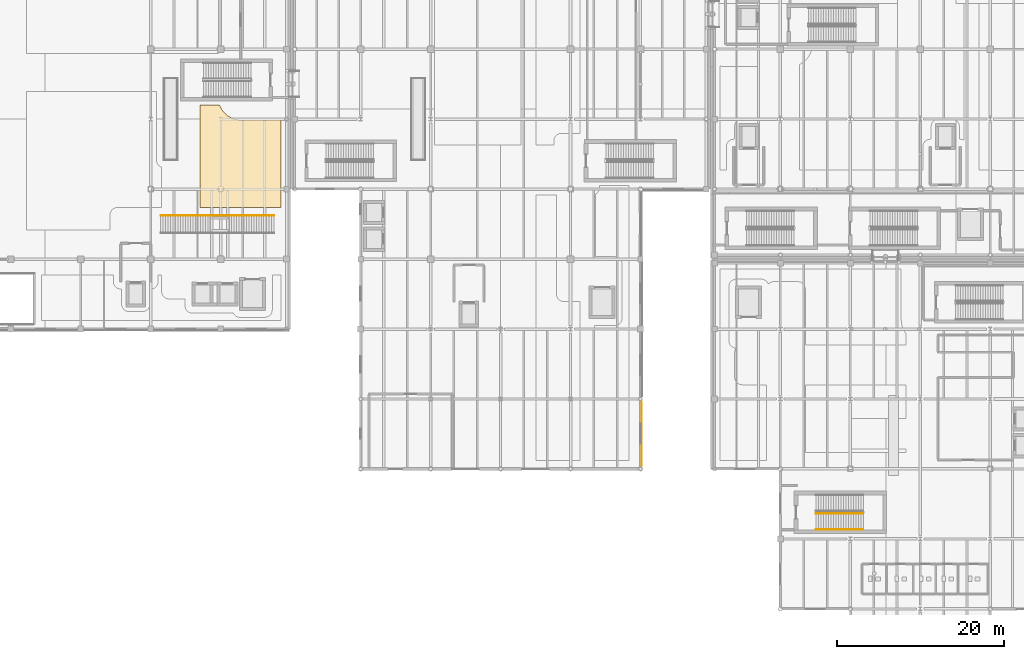
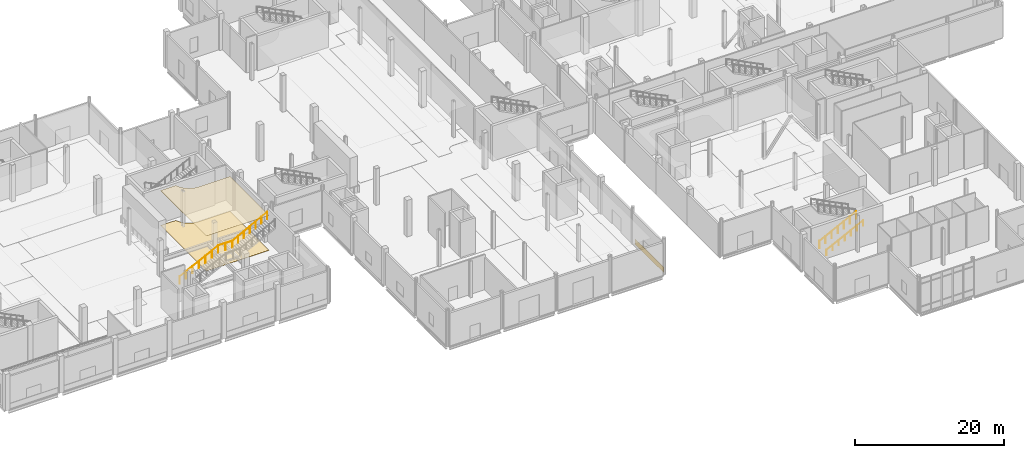
# One storey, part 67 of 85: 3 coverings, 3 railings.
"""IFC4 building model written with IfcOpenShell, lengths in metres."""

import ifcopenshell
import ifcopenshell.guid

model = None  # the IFC model being written
_history = None  # IfcOwnerHistory: only IFC2X3 demands one
_inside = {}  # id of a spatial element -> (the spatial element, [elements in it])
_under = {}  # id of a project, library or spatial element -> (it, [spatial elements below it])
_declared = {}  # id of a project -> (the project, [libraries it declares])
_typed = {}  # id of a type object -> (the type object, [elements of that type])
_made_of = {}  # id of a material, layer set ... -> (it, [elements and type objects made of it])


def new_model(schema):
    """Start an empty IFC model of exactly this schema.

    Asked for "IFC4X3", IfcOpenShell would pick the latest addendum, in which some entities
    have other attributes; the version numbers below select the first issue.
    IFC2X3 requires an IfcOwnerHistory on every rooted entity: one is made here for all.
    """
    global model, _history
    if schema == "IFC4X3":
        model = ifcopenshell.file(schema_version=(4, 3, 0, 0))
    else:
        model = ifcopenshell.file(schema=schema)
    _inside.clear()
    _under.clear()
    _declared.clear()
    _typed.clear()
    _made_of.clear()
    _history = None
    if model.schema == "IFC2X3":
        org = make("IfcOrganization", Name="unknown")
        user = make(
            "IfcPersonAndOrganization",
            ThePerson=make("IfcPerson", FamilyName="unknown"),
            TheOrganization=org,
        )
        app = make(
            "IfcApplication",
            ApplicationDeveloper=org,
            Version="unknown",
            ApplicationFullName="unknown",
            ApplicationIdentifier="unknown",
        )
        _history = make(
            "IfcOwnerHistory",
            OwningUser=user,
            OwningApplication=app,
            ChangeAction="ADDED",
            CreationDate=0,
        )
    return model


def make(cls, **values):
    """One entity of the class cls with the attributes given. An attribute that is None is left unset."""
    return model.create_entity(
        cls, **{name: value for name, value in values.items() if value is not None}
    )


def rooted(cls, **values):
    """An entity with a GlobalId (a new one), such as an element, a storey or a relation."""
    return make(cls, GlobalId=ifcopenshell.guid.new(), OwnerHistory=_history, **values)


def si_unit(unit_type, name, prefix=None):
    """IfcSIUnit, for example si_unit("LENGTHUNIT", "METRE", prefix="MILLI")."""
    return make("IfcSIUnit", UnitType=unit_type, Prefix=prefix, Name=name)


def assignment(units):
    """IfcUnitAssignment: the units of a project."""
    return None if units is None else make("IfcUnitAssignment", Units=units)


def point(xyz):
    """IfcCartesianPoint."""
    return None if xyz is None else make("IfcCartesianPoint", Coordinates=xyz)


def direction(xyz):
    """IfcDirection."""
    return None if xyz is None else make("IfcDirection", DirectionRatios=xyz)


def frame(location, z_axis=None, x_axis=None):
    """IfcAxis2Placement3D, a coordinate frame: its origin and axes. An axis left out is left unset."""
    return make(
        "IfcAxis2Placement3D",
        Location=point(location),
        Axis=direction(z_axis),
        RefDirection=direction(x_axis),
    )


def frame_2d(location, x_axis=None):
    """IfcAxis2Placement2D, a coordinate frame in the plane: its origin and x axis."""
    return make(
        "IfcAxis2Placement2D", Location=point(location), RefDirection=direction(x_axis)
    )


def origin():
    """The frame at (0, 0, 0) with its axes left unset."""
    return frame((0.0, 0.0, 0.0))


def origin_2d():
    """The frame at (0, 0) in the plane with its x axis left unset."""
    return frame_2d((0.0, 0.0))


def place(relative_to, where):
    """IfcLocalPlacement: puts the frame where relative to a parent placement (None: the world)."""
    return make(
        "IfcLocalPlacement", PlacementRelTo=relative_to, RelativePlacement=where
    )


def context(
    kind, dimensions, precision=None, world=None, true_north=None, identifier=None
):
    """IfcGeometricRepresentationContext, for example the 3D "Model" context."""
    return make(
        "IfcGeometricRepresentationContext",
        ContextIdentifier=identifier,
        ContextType=kind,
        CoordinateSpaceDimension=dimensions,
        Precision=precision,
        WorldCoordinateSystem=world,
        TrueNorth=true_north,
    )


def subcontext(parent, identifier, kind, view, scale=None):
    """IfcGeometricRepresentationSubContext, for example "Body" below "Model"."""
    return make(
        "IfcGeometricRepresentationSubContext",
        ContextIdentifier=identifier,
        ContextType=kind,
        ParentContext=parent,
        TargetScale=scale,
        TargetView=view,
    )


def project(units=None, contexts=None):
    """IfcProject with its units and contexts."""
    return rooted(
        "IfcProject",
        Name="project",
        RepresentationContexts=contexts,
        UnitsInContext=assignment(units),
    )


def spatial(cls, under=None, at=None, **own):
    """A site, building, storey or space (cls), placed at a placement, below another one or the project."""
    s = rooted(cls, ObjectPlacement=at, **own)
    if under is not None:
        _under.setdefault(under.id(), (under, []))[1].append(s)
    return s


def polyline(points):
    """IfcPolyline through the points."""
    return make("IfcPolyline", Points=[point(p) for p in points])


def profile(cls, at=None, kind="AREA", **sizes):
    """A parametric profile (cls). Its sizes go by their IFC names, for example OverallWidth=200.0."""
    return make(cls, ProfileType=kind, Position=at, **sizes)


def rectangle(**sizes):
    """IfcRectangleProfileDef."""
    return profile("IfcRectangleProfileDef", **sizes)


def circle(**sizes):
    """IfcCircleProfileDef."""
    return profile("IfcCircleProfileDef", **sizes)


def outline(outer, holes=None, kind="AREA"):
    """IfcArbitraryClosedProfileDef: a profile drawn as a closed curve; with holes, ...WithVoids."""
    if holes is None:
        return make("IfcArbitraryClosedProfileDef", ProfileType=kind, OuterCurve=outer)
    return make(
        "IfcArbitraryProfileDefWithVoids",
        ProfileType=kind,
        OuterCurve=outer,
        InnerCurves=holes,
    )


def extrude(swept, where, along, depth):
    """IfcExtrudedAreaSolid: the profile swept, set in the frame where, extruded along a direction by depth."""
    return make(
        "IfcExtrudedAreaSolid",
        SweptArea=swept,
        Position=where,
        ExtrudedDirection=direction(along),
        Depth=depth,
    )


def shape(context_of_items, identifier, shape_type, items):
    """IfcShapeRepresentation: the items that make up one representation, for example the "Body"."""
    return make(
        "IfcShapeRepresentation",
        ContextOfItems=context_of_items,
        RepresentationIdentifier=identifier,
        RepresentationType=shape_type,
        Items=items,
    )


def material(Name=None, Category=None):
    """IfcMaterial."""
    return make("IfcMaterial", Name=Name, Category=Category)


def layer(
    of_material, thickness, ventilated=None, Name=None, Category=None, Priority=None
):
    """IfcMaterialLayer: one layer of a wall or slab, of a material (None: an air gap)."""
    return make(
        "IfcMaterialLayer",
        Material=of_material,
        LayerThickness=thickness,
        IsVentilated=ventilated,
        Name=Name,
        Category=Category,
        Priority=Priority,
    )


def layer_set(layers, Name=None):
    """IfcMaterialLayerSet."""
    return make("IfcMaterialLayerSet", MaterialLayers=layers, LayerSetName=Name)


def made_of(thing, what):
    """Note that an element or type object is made of a material, layer set ...; save() writes the relation."""
    if what is not None:
        _made_of.setdefault(what.id(), (what, []))[1].append(thing)
    return thing


def type_object(cls, material=None, **own):
    """A type object (cls), such as IfcWallType, which elements share."""
    return made_of(rooted(cls, **own), material)


def element(
    cls,
    number,
    at=None,
    inside=None,
    cuts=None,
    type_object=None,
    material=None,
    context=None,
    identifier="Body",
    shape_type=None,
    held_by="IfcProductDefinitionShape",
    body=None,
    shapes=None,
    **own,
):
    """One element of the class cls, such as IfcWall. Its Tag is "e" and its number.

    at: its placement. inside: the storey or other place that contains it. cuts: it is an
    opening in that element (IfcRelVoidsElement). A single representation is given by context,
    identifier, shape_type and body (its items); several are given by shapes. held_by: the class
    of the entity that holds the representations. save() writes the other relations.
    """
    e = rooted(cls, Tag="e%d" % number, ObjectPlacement=at, **own)
    if body is not None:
        shapes = [shape(context, identifier, shape_type, body)]
    if shapes is not None:
        e.Representation = make(held_by, Representations=shapes)
    if inside is not None:
        _inside.setdefault(inside.id(), (inside, []))[1].append(e)
    if cuts is not None:
        rooted(
            "IfcRelVoidsElement", RelatingBuildingElement=cuts, RelatedOpeningElement=e
        )
    if type_object is not None:
        _typed.setdefault(type_object.id(), (type_object, []))[1].append(e)
    return made_of(e, material)


def aggregate(whole, parts):
    """IfcRelAggregates: a whole, such as a stair, and the parts it consists of."""
    return rooted("IfcRelAggregates", RelatingObject=whole, RelatedObjects=parts)


def save(model, path):
    """Write the relations noted so far, then the file.

    IfcRelAggregates (storeys below a building ...), IfcRelContainedInSpatialStructure (elements
    in a storey), IfcRelDefinesByType, IfcRelAssociatesMaterial and IfcRelDeclares: one each for
    every whole, place, type object, material and project.
    """
    for whole, parts in _under.values():
        aggregate(whole, parts)
    for where, things in _inside.values():
        rooted(
            "IfcRelContainedInSpatialStructure",
            RelatedElements=things,
            RelatingStructure=where,
        )
    for kind, things in _typed.values():
        rooted("IfcRelDefinesByType", RelatedObjects=things, RelatingType=kind)
    for what, things in _made_of.values():
        rooted("IfcRelAssociatesMaterial", RelatedObjects=things, RelatingMaterial=what)
    for by, libraries in _declared.values():
        rooted("IfcRelDeclares", RelatingContext=by, RelatedDefinitions=libraries)
    model.write(path)


model = new_model("IFC4")

# Units and contexts
model_context = context("Model", 3, precision=1e-05, world=origin(), true_north=direction((0.0, 1.0)))
body_context = subcontext(model_context, "Body", "Model", "MODEL_VIEW")
ifc_project = project(units=[si_unit("LENGTHUNIT", "METRE"), si_unit("AREAUNIT", "SQUARE_METRE"), si_unit("VOLUMEUNIT", "CUBIC_METRE"), si_unit("PLANEANGLEUNIT", "RADIAN"), si_unit("MASSUNIT", "GRAM", prefix="KILO"), si_unit("THERMODYNAMICTEMPERATUREUNIT", "KELVIN")], contexts=[model_context])

# Site, building, storey
site_placement = place(None, origin())
site = spatial("IfcSite", under=ifc_project, at=site_placement, CompositionType="ELEMENT")
building_placement = place(site_placement, origin())
building = spatial("IfcBuilding", under=site, at=building_placement, Name="Lustrewick Department Store", CompositionType="ELEMENT")
storey_placement = place(building_placement, origin())
storey = spatial("IfcBuildingStorey", under=building, at=storey_placement, Name="L01", CompositionType="ELEMENT", Elevation=0.0)

# Coverings
ifc_material_1 = material(Name="Rusticated Fangshan cream limestone", Category="masonry")
ifc_layer_1 = layer(ifc_material_1, 0.050048828125, Name="Rusticated Fangshan cream limestone")
ifc_layer_set_1 = layer_set([ifc_layer_1], Name="Rusticated Fangshan cream limestone")
covering_type_1 = type_object("IfcCoveringType", Name="CLD-LIME", PredefinedType="CLADDING", material=ifc_layer_set_1)
covering_1_placement = place(storey_placement, frame((100.955078125, 29.412841796875, 0.02490234375), z_axis=(0.0, 0.0, 1.0), x_axis=(0.0, 1.0, 0.0)))
element("IfcCovering", 1, at=covering_1_placement, inside=storey, type_object=covering_type_1, Name="L01 Limestone Plinth Band 021", PredefinedType="CLADDING", context=body_context, shape_type="SweptSolid", body=[
    extrude(rectangle(XDim=7.7275390625, YDim=0.050048828125, at=origin_2d()), origin(), (0.0, 0.0, 1.0), 0.85009765625),
])
ifc_material_2 = material(Name="Perforated mineral-fibre acoustic ceiling board", Category="gypsum")
ifc_layer_2 = layer(ifc_material_2, 0.02490234375, Name="Perforated mineral-fibre acoustic ceiling board")
ifc_layer_set_2 = layer_set([ifc_layer_2], Name="Perforated mineral-fibre acoustic ceiling board")
covering_type_2 = type_object("IfcCoveringType", Name="COV-CEIL", PredefinedType="CEILING", material=ifc_layer_set_2)
covering_2_placement = place(storey_placement, frame((0.0, 0.0, 5.719970703125)))
element("IfcCovering", 2, at=covering_2_placement, inside=storey, type_object=covering_type_2, Name="L01 V1 Retail Merchandise Gallery 4 Acoustic Ceiling", PredefinedType="CEILING", context=body_context, shape_type="SweptSolid", body=[
    extrude(outline(polyline([(50.263671875, 68.909912109375), (47.889892578125, 68.909912109375), (47.889892578125, 56.580078125), (57.6298828125, 56.580078125), (57.6298828125, 67.110107421875), (52.798583984375, 67.110107421875), (52.757080078125, 67.111083984375), (52.57861328125, 67.119873046875), (52.53662109375, 67.123046875), (52.53369140625, 67.123291015625), (52.493896484375, 67.128173828125), (52.3173828125, 67.154296875), (52.27587890625, 67.16162109375), (52.27294921875, 67.162109375), (52.2333984375, 67.1708984375), (52.060302734375, 67.21435546875), (52.023193359375, 67.224609375), (52.020263671875, 67.2255859375), (51.978515625, 67.2392578125), (51.809814453125, 67.299560546875), (51.751708984375, 67.32275390625), (51.7490234375, 67.323974609375), (51.731201171875, 67.332275390625), (51.56982421875, 67.408447265625), (51.52099609375, 67.43359375), (51.518310546875, 67.43505859375), (51.494384765625, 67.44873046875), (51.342041015625, 67.540283203125), (51.32861328125, 67.54833984375), (51.326416015625, 67.5498046875), (51.271240234375, 67.58740234375), (51.12646484375, 67.69482421875), (51.0625, 67.747314453125), (50.9287109375, 67.868408203125), (50.89892578125, 67.89697265625), (50.896728515625, 67.89892578125), (50.868408203125, 67.928955078125), (50.6953125, 68.119873046875), (50.697998046875, 68.122314453125), (50.694580078125, 68.126708984375), (50.58740234375, 68.271240234375), (50.5498046875, 68.326416015625), (50.54833984375, 68.32861328125), (50.540283203125, 68.342041015625), (50.44873046875, 68.494384765625), (50.43505859375, 68.518310546875), (50.43359375, 68.52099609375), (50.408447265625, 68.56982421875), (50.332275390625, 68.731201171875), (50.323974609375, 68.7490234375), (50.32275390625, 68.751708984375), (50.299560546875, 68.809814453125), (50.263671875, 68.909912109375)])), origin(), (0.0, 0.0, 1.0), 0.025146484375),
])
ifc_material_3 = material(Name="Polished terrazzo and porcelain floor finish", Category="masonry")
ifc_layer_3 = layer(ifc_material_3, 0.02001953125, Name="Polished terrazzo and porcelain floor finish")
ifc_layer_set_3 = layer_set([ifc_layer_3], Name="Polished terrazzo and porcelain floor finish")
covering_type_3 = type_object("IfcCoveringType", Name="COV-FLR", PredefinedType="FLOORING", material=ifc_layer_set_3)
covering_3_placement = place(storey_placement, origin())
element("IfcCovering", 3, at=covering_3_placement, inside=storey, type_object=covering_type_3, Name="L01 V1 Retail Merchandise Gallery 4 Terrazzo Flooring", PredefinedType="FLOORING", context=body_context, shape_type="SweptSolid", body=[
    extrude(outline(polyline([(50.263671875, 68.909912109375), (47.889892578125, 68.909912109375), (47.889892578125, 56.580078125), (57.6298828125, 56.580078125), (57.6298828125, 67.110107421875), (52.798583984375, 67.110107421875), (52.757080078125, 67.111083984375), (52.57861328125, 67.119873046875), (52.53662109375, 67.123046875), (52.53369140625, 67.123291015625), (52.493896484375, 67.128173828125), (52.3173828125, 67.154296875), (52.27587890625, 67.16162109375), (52.27294921875, 67.162109375), (52.2333984375, 67.1708984375), (52.060302734375, 67.21435546875), (52.023193359375, 67.224609375), (52.020263671875, 67.2255859375), (51.978515625, 67.2392578125), (51.809814453125, 67.299560546875), (51.751708984375, 67.32275390625), (51.7490234375, 67.323974609375), (51.731201171875, 67.332275390625), (51.56982421875, 67.408447265625), (51.52099609375, 67.43359375), (51.518310546875, 67.43505859375), (51.494384765625, 67.44873046875), (51.342041015625, 67.540283203125), (51.32861328125, 67.54833984375), (51.326416015625, 67.5498046875), (51.271240234375, 67.58740234375), (51.12646484375, 67.69482421875), (51.0625, 67.747314453125), (50.9287109375, 67.868408203125), (50.89892578125, 67.89697265625), (50.896728515625, 67.89892578125), (50.868408203125, 67.928955078125), (50.6953125, 68.119873046875), (50.697998046875, 68.122314453125), (50.694580078125, 68.126708984375), (50.58740234375, 68.271240234375), (50.5498046875, 68.326416015625), (50.54833984375, 68.32861328125), (50.540283203125, 68.342041015625), (50.44873046875, 68.494384765625), (50.43505859375, 68.518310546875), (50.43359375, 68.52099609375), (50.408447265625, 68.56982421875), (50.332275390625, 68.731201171875), (50.323974609375, 68.7490234375), (50.32275390625, 68.751708984375), (50.299560546875, 68.809814453125), (50.263671875, 68.909912109375)])), origin(), (0.0, 0.0, 1.0), 0.02001953125),
])

# Railings
ifc_material_4 = material(Name="Laminated safety glass and bronze atrium balustrade", Category="glass")
railing_type_1 = type_object("IfcRailingType", Name="RL-BAL", PredefinedType="BALUSTRADE", material=ifc_material_4)
railing_1_placement = place(storey_placement, frame((43.199951171875, 55.64990234375, 0.14990234375)))
element("IfcRailing", 4, at=railing_1_placement, inside=storey, type_object=railing_type_1, Name="L01 Feature Stair AST01 Balustrade G2", PredefinedType="BALUSTRADE", context=body_context, shape_type="SweptSolid", body=[
    extrude(circle(Radius=0.02392578125, at=origin_2d()), frame((0.0, 0.0, 1.17578125), z_axis=(0.894427191, 0.0, 0.4472135955), x_axis=(0.0, 1.0, 0.0)), (0.0, 0.0, 1.0), 6.708251953125),
    extrude(circle(Radius=0.02392578125, at=origin_2d()), frame((6.0, 0.0, 4.17578125), z_axis=(1.0, 0.0, 0.0), x_axis=(0.0, 1.0, 0.0)), (0.0, 0.0, 1.0), 2.199951171875),
    extrude(circle(Radius=0.02392578125, at=origin_2d()), frame((8.199951171875, 0.0, 4.17578125), z_axis=(0.884383377448, 0.0, 0.466761225568), x_axis=(0.0, 1.0, 0.0)), (0.0, 0.0, 1.0), 6.106201171875),
    extrude(circle(Radius=0.02099609375, at=origin_2d()), origin(), (0.0, 0.0, 1.0), 1.15185546875),
    extrude(circle(Radius=0.02099609375, at=origin_2d()), frame((1.0, 0.0, 0.5)), (0.0, 0.0, 1.0), 1.15185546875),
    extrude(circle(Radius=0.02099609375, at=origin_2d()), frame((2.0, 0.0, 1.0)), (0.0, 0.0, 1.0), 1.15185546875),
    extrude(circle(Radius=0.02099609375, at=origin_2d()), frame((3.0, 0.0, 1.5)), (0.0, 0.0, 1.0), 1.15185546875),
    extrude(circle(Radius=0.02099609375, at=origin_2d()), frame((4.0, 0.0, 2.0)), (0.0, 0.0, 1.0), 1.15185546875),
    extrude(circle(Radius=0.02099609375, at=origin_2d()), frame((5.0, 0.0, 2.5)), (0.0, 0.0, 1.0), 1.15185546875),
    extrude(circle(Radius=0.02099609375, at=origin_2d()), frame((6.0, 0.0, 3.0)), (0.0, 0.0, 1.0), 1.15185546875),
    extrude(circle(Radius=0.02099609375, at=origin_2d()), frame((7.10009765625, 0.0, 3.0)), (0.0, 0.0, 1.0), 1.15185546875),
    extrude(circle(Radius=0.02099609375, at=origin_2d()), frame((8.199951171875, 0.0, 3.0)), (0.0, 0.0, 1.0), 1.15185546875),
    extrude(circle(Radius=0.02099609375, at=origin_2d()), frame((9.10009765625, 0.0, 3.47509765625)), (0.0, 0.0, 1.0), 1.15185546875),
    extrude(circle(Radius=0.02099609375, at=origin_2d()), frame((10.0, 0.0, 3.949951171875)), (0.0, 0.0, 1.0), 1.15185546875),
    extrude(circle(Radius=0.02099609375, at=origin_2d()), frame((10.89990234375, 0.0, 4.425048828125)), (0.0, 0.0, 1.0), 1.15185546875),
    extrude(circle(Radius=0.02099609375, at=origin_2d()), frame((11.800048828125, 0.0, 4.900146484375)), (0.0, 0.0, 1.0), 1.15185546875),
    extrude(circle(Radius=0.02099609375, at=origin_2d()), frame((12.7001953125, 0.0, 5.375)), (0.0, 0.0, 1.0), 1.15185546875),
    extrude(circle(Radius=0.02099609375, at=origin_2d()), frame((13.60009765625, 0.0, 5.85009765625)), (0.0, 0.0, 1.0), 1.15185546875),
])
ifc_material_5 = material(Name="Painted tubular steel stairwell guardrail", Category="steel")
railing_type_2 = type_object("IfcRailingType", Name="RL-STG", PredefinedType="GUARDRAIL", material=ifc_material_5)
railing_2_placement = place(storey_placement, frame((121.85009765625, 19.85009765625, 0.14990234375)))
element("IfcRailing", 5, at=railing_2_placement, inside=storey, type_object=railing_type_2, Name="L01 ST07 Stair Guard 1", PredefinedType="GUARDRAIL", context=body_context, shape_type="SweptSolid", body=[
    extrude(circle(Radius=0.02392578125, at=origin_2d()), frame((0.0, 0.0, 1.17578125), z_axis=(0.894419528903, 0.0, 0.447228919365), x_axis=(0.0, 1.0, 0.0)), (0.0, 0.0, 1.0), 6.372802734375),
    extrude(circle(Radius=0.02099609375, at=origin_2d()), origin(), (0.0, 0.0, 1.0), 1.15185546875),
    extrude(circle(Radius=0.02099609375, at=origin_2d()), frame((0.949951171875, 0.0, 0.47509765625)), (0.0, 0.0, 1.0), 1.15185546875),
    extrude(circle(Radius=0.02099609375, at=origin_2d()), frame((1.89990234375, 0.0, 0.949951171875)), (0.0, 0.0, 1.0), 1.15185546875),
    extrude(circle(Radius=0.02099609375, at=origin_2d()), frame((2.85009765625, 0.0, 1.425048828125)), (0.0, 0.0, 1.0), 1.15185546875),
    extrude(circle(Radius=0.02099609375, at=origin_2d()), frame((3.800048828125, 0.0, 1.900146484375)), (0.0, 0.0, 1.0), 1.15185546875),
    extrude(circle(Radius=0.02099609375, at=origin_2d()), frame((4.75, 0.0, 2.375)), (0.0, 0.0, 1.0), 1.15185546875),
    extrude(circle(Radius=0.02099609375, at=origin_2d()), frame((5.699951171875, 0.0, 2.85009765625)), (0.0, 0.0, 1.0), 1.15185546875),
])
ifc_material_6 = material(Name="Brushed stainless steel wall handrail", Category="steel")
railing_type_3 = type_object("IfcRailingType", Name="RL-STH", PredefinedType="HANDRAIL", material=ifc_material_6)
railing_3_placement = place(storey_placement, frame((121.85009765625, 17.949951171875, 0.14990234375)))
element("IfcRailing", 6, at=railing_3_placement, inside=storey, type_object=railing_type_3, Name="L01 ST07 Stair Handrail 1", PredefinedType="HANDRAIL", context=body_context, shape_type="SweptSolid", body=[
    extrude(circle(Radius=0.02392578125, at=origin_2d()), frame((0.0, 0.0, 0.8759765625), z_axis=(0.894419528903, 0.0, 0.447228919365), x_axis=(0.0, 1.0, 0.0)), (0.0, 0.0, 1.0), 6.372802734375),
    extrude(circle(Radius=0.02099609375, at=origin_2d()), origin(), (0.0, 0.0, 1.0), 0.851806640625),
    extrude(circle(Radius=0.02099609375, at=origin_2d()), frame((0.949951171875, 0.0, 0.47509765625)), (0.0, 0.0, 1.0), 0.851806640625),
    extrude(circle(Radius=0.02099609375, at=origin_2d()), frame((1.89990234375, 0.0, 0.949951171875)), (0.0, 0.0, 1.0), 0.851806640625),
    extrude(circle(Radius=0.02099609375, at=origin_2d()), frame((2.85009765625, 0.0, 1.425048828125)), (0.0, 0.0, 1.0), 0.851806640625),
    extrude(circle(Radius=0.02099609375, at=origin_2d()), frame((3.800048828125, 0.0, 1.900146484375)), (0.0, 0.0, 1.0), 0.851806640625),
    extrude(circle(Radius=0.02099609375, at=origin_2d()), frame((4.75, 0.0, 2.375)), (0.0, 0.0, 1.0), 0.851806640625),
    extrude(circle(Radius=0.02099609375, at=origin_2d()), frame((5.699951171875, 0.0, 2.85009765625)), (0.0, 0.0, 1.0), 0.851806640625),
])

save(model, "model.ifc")
